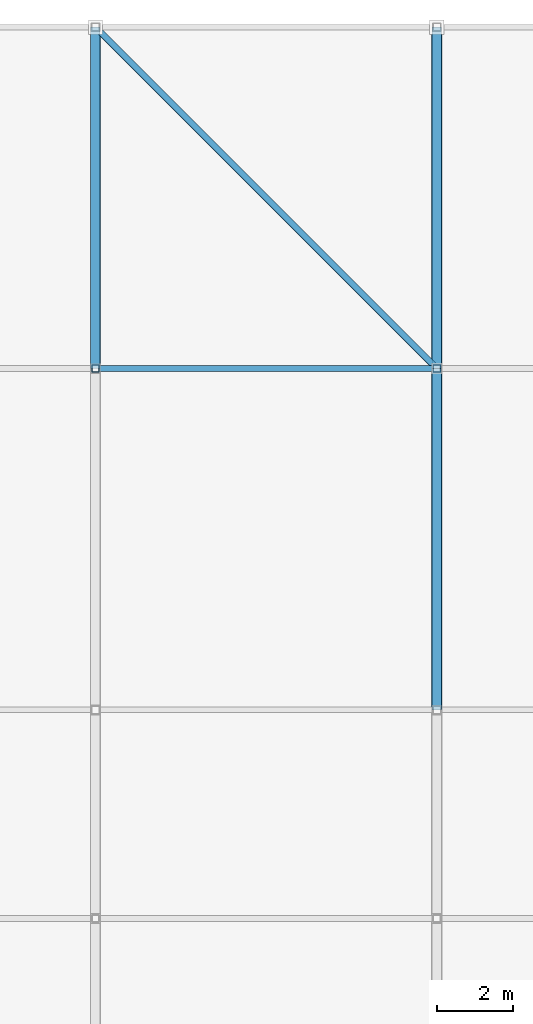
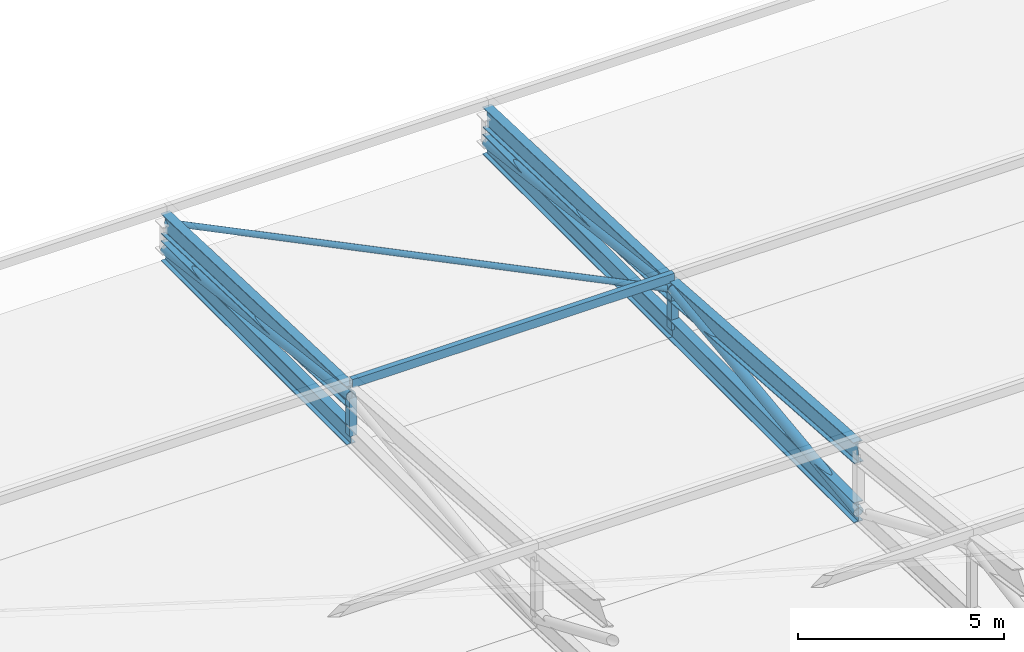
# One storey, part 71 of 114: 7 members, 6 beams.
"""IFC4 building model written with IfcOpenShell, lengths in metres."""

from ifc_helpers import new_model, si_unit, direction, frame, origin, origin_2d, place, context, subcontext, project, spatial, hollow_rectangle, hollow_circle, i_section, extrude, material, material_profile, profile_set, type_object, element, save


model = new_model("IFC4")

# Units and contexts
model_context = context("Model", 3, precision=1e-05, world=origin(), true_north=direction((0.0, 1.0)))
body_context = subcontext(model_context, "Body", "Model", "MODEL_VIEW")
ifc_project = project(units=[si_unit("LENGTHUNIT", "METRE"), si_unit("AREAUNIT", "SQUARE_METRE"), si_unit("VOLUMEUNIT", "CUBIC_METRE"), si_unit("PLANEANGLEUNIT", "RADIAN"), si_unit("MASSUNIT", "GRAM", prefix="KILO"), si_unit("THERMODYNAMICTEMPERATUREUNIT", "KELVIN"), si_unit("POWERUNIT", "WATT")], contexts=[model_context])

# Site, building, storey
site_placement = place(None, origin())
site = spatial("IfcSite", under=ifc_project, at=site_placement, CompositionType="ELEMENT")
building_placement = place(site_placement, origin())
building = spatial("IfcBuilding", under=site, at=building_placement, Name="Sindhuravela Promenade Stadium", CompositionType="ELEMENT")
storey_placement = place(building_placement, frame((0.0, 0.0, 24.0)))
storey = spatial("IfcBuildingStorey", under=building, at=storey_placement, Name="L05", CompositionType="ELEMENT", Elevation=24.0)

# Beams
ifc_material = material(Name="Steel E350 (IS 2062 E350BR)", Category="steel")
ifc_material_profile_1 = material_profile(ifc_material, i_section(OverallWidth=0.25, OverallDepth=0.60009765625, WebThickness=0.01171875, FlangeThickness=0.023681640625, FilletRadius=0.01708984375, at=origin_2d()), Name="ISWB 600")
ifc_profile_set_1 = profile_set([ifc_material_profile_1], Name="Steel E350 (IS 2062 E350BR)")
beam_type = type_object("IfcBeamType", Name="ST-BM-WB600", PredefinedType="USERDEFINED", material=ifc_profile_set_1)
beam_1_placement = place(storey_placement, frame((99.0, 153.0, 0.800048828125), z_axis=(0.0, -0.9993399990381225, 0.03632583546850814), x_axis=(1.0, 0.0, 0.0)))
element("IfcBeam", 1, at=beam_1_placement, inside=storey, type_object=beam_type, Name="Roof truss RT-N04 top chord 1", ObjectType="ROOF TRUSS", PredefinedType="USERDEFINED", context=body_context, shape_type="SweptSolid", body=[
    extrude(i_section(OverallWidth=0.25, OverallDepth=0.60009765625, WebThickness=0.01171875, FlangeThickness=0.023681640625, FilletRadius=0.01708984375, at=origin_2d()), origin(), (0.0, 0.0, 1.0), 9.005859375),
])
beam_2_placement = place(storey_placement, frame((99.0, 153.0, 0.0), z_axis=(0.0, -1.0, 0.0), x_axis=(1.0, 0.0, 0.0)))
element("IfcBeam", 2, at=beam_2_placement, inside=storey, type_object=beam_type, Name="Roof truss RT-N04 bottom chord 1", ObjectType="ROOF TRUSS", PredefinedType="USERDEFINED", context=body_context, shape_type="SweptSolid", body=[
    extrude(i_section(OverallWidth=0.25, OverallDepth=0.60009765625, WebThickness=0.01171875, FlangeThickness=0.023681640625, FilletRadius=0.01708984375, at=origin_2d()), origin(), (0.0, 0.0, 1.0), 9.0),
])
beam_3_placement = place(storey_placement, frame((108.0, 153.0, 0.800048828125), z_axis=(0.0, -0.9993399990381225, 0.03632583546850814), x_axis=(1.0, 0.0, 0.0)))
element("IfcBeam", 3, at=beam_3_placement, inside=storey, type_object=beam_type, Name="Roof truss RT-N05 top chord 1", ObjectType="ROOF TRUSS", PredefinedType="USERDEFINED", context=body_context, shape_type="SweptSolid", body=[
    extrude(i_section(OverallWidth=0.25, OverallDepth=0.60009765625, WebThickness=0.01171875, FlangeThickness=0.023681640625, FilletRadius=0.01708984375, at=origin_2d()), origin(), (0.0, 0.0, 1.0), 9.005859375),
])
beam_4_placement = place(storey_placement, frame((108.0, 153.0, 0.0), z_axis=(0.0, -1.0, 0.0), x_axis=(1.0, 0.0, 0.0)))
element("IfcBeam", 4, at=beam_4_placement, inside=storey, type_object=beam_type, Name="Roof truss RT-N05 bottom chord 1", ObjectType="ROOF TRUSS", PredefinedType="USERDEFINED", context=body_context, shape_type="SweptSolid", body=[
    extrude(i_section(OverallWidth=0.25, OverallDepth=0.60009765625, WebThickness=0.01171875, FlangeThickness=0.023681640625, FilletRadius=0.01708984375, at=origin_2d()), origin(), (0.0, 0.0, 1.0), 9.0),
])
beam_5_placement = place(storey_placement, frame((108.0, 144.0, 1.127197265625), z_axis=(0.0, -0.9975125305940163, 0.07048937017679613), x_axis=(1.0, 0.0, 0.0)))
element("IfcBeam", 5, at=beam_5_placement, inside=storey, type_object=beam_type, Name="Roof truss RT-N05 top chord 2", ObjectType="ROOF TRUSS", PredefinedType="USERDEFINED", context=body_context, shape_type="SweptSolid", body=[
    extrude(i_section(OverallWidth=0.25, OverallDepth=0.60009765625, WebThickness=0.01171875, FlangeThickness=0.023681640625, FilletRadius=0.01708984375, at=origin_2d()), origin(), (0.0, 0.0, 1.0), 9.0224609375),
])
beam_6_placement = place(storey_placement, frame((108.0, 144.0, 0.0), z_axis=(0.0, -1.0, 0.0), x_axis=(1.0, 0.0, 0.0)))
element("IfcBeam", 6, at=beam_6_placement, inside=storey, type_object=beam_type, Name="Roof truss RT-N05 bottom chord 2", ObjectType="ROOF TRUSS", PredefinedType="USERDEFINED", context=body_context, shape_type="SweptSolid", body=[
    extrude(i_section(OverallWidth=0.25, OverallDepth=0.60009765625, WebThickness=0.01171875, FlangeThickness=0.023681640625, FilletRadius=0.01708984375, at=origin_2d()), origin(), (0.0, 0.0, 1.0), 9.0),
])

# Members
ifc_material_profile_2 = material_profile(ifc_material, hollow_circle(Radius=0.084228515625, WallThickness=0.008056640625, at=origin_2d()), Name="CHS 168.3x8")
ifc_profile_set_2 = profile_set([ifc_material_profile_2], Name="Steel E350 (IS 2062 E350BR)")
member_type_1 = type_object("IfcMemberType", Name="ST-MB-CHS168", PredefinedType="BRACE", material=ifc_profile_set_2)
member_1_placement = place(storey_placement, frame((99.0, 153.0, 0.800048828125), z_axis=(0.7068733200643292, -0.7068733200643292, 0.025694722463275855), x_axis=(0.7071067811865475, 0.7071067811865475, 0.0)))
element("IfcMember", 7, at=member_1_placement, inside=storey, type_object=member_type_1, Name="Roof wind brace MB03 N bay 4", PredefinedType="BRACE", context=body_context, shape_type="SweptSolid", body=[
    extrude(hollow_circle(Radius=0.084228515625, WallThickness=0.008056640625, at=origin_2d()), origin(), (0.0, 0.0, 1.0), 12.732177734375),
])
ifc_material_profile_3 = material_profile(ifc_material, hollow_circle(Radius=0.136474609375, WallThickness=0.010009765625, at=origin_2d()), Name="CHS 273.0x10")
ifc_profile_set_3 = profile_set([ifc_material_profile_3], Name="Steel E350 (IS 2062 E350BR)")
member_type_2 = type_object("IfcMemberType", Name="ST-MB-CHS273", PredefinedType="BRACE", material=ifc_profile_set_3)
for number, where, z_axis, x_axis, name in (
    (8, (99.0, 153.0, 0.0), (0.0, -0.9922480329009012, 0.12427325216752011), (1.0, 0.0, 0.0), "Roof truss RT-N04 diagonal web 1"),
    (9, (108.0, 153.0, 0.0), (0.0, -0.9922480329009012, 0.12427325216752011), (1.0, 0.0, 0.0), "Roof truss RT-N05 diagonal web 1"),
    (10, (108.0, 144.0, 1.127197265625), (0.0, -0.9922480329009012, -0.12427325216752011), (1.0, 0.0, 0.0), "Roof truss RT-N05 diagonal web 2"),
):
    element("IfcMember", number, at=place(storey_placement, frame(where, z_axis=z_axis, x_axis=x_axis)), inside=storey, type_object=member_type_2, Name=name, PredefinedType="BRACE", context=body_context, shape_type="SweptSolid", body=[
        extrude(hollow_circle(Radius=0.136474609375, WallThickness=0.010009765625, at=origin_2d()), origin(), (0.0, 0.0, 1.0), 9.0703125),
    ])
ifc_material_profile_4 = material_profile(ifc_material, hollow_rectangle(XDim=0.14990234375, YDim=0.25, WallThickness=0.010009765625, at=origin_2d()), Name="RHS 250x150x10")
ifc_profile_set_4 = profile_set([ifc_material_profile_4], Name="Steel E350 (IS 2062 E350BR)")
member_type_3 = type_object("IfcMemberType", Name="ST-MB-RHS250", PredefinedType="PURLIN", material=ifc_profile_set_4)
member_2_placement = place(storey_placement, frame((99.0, 144.0, 1.51904296875), z_axis=(1.0, 0.0, 0.0), x_axis=(0.0, 1.0, 0.0)))
element("IfcMember", 11, at=member_2_placement, inside=storey, type_object=member_type_3, Name="Roof purlin PR01 N bay 4.2", PredefinedType="PURLIN", context=body_context, shape_type="SweptSolid", body=[
    extrude(hollow_rectangle(XDim=0.14990234375, YDim=0.25, WallThickness=0.010009765625, at=origin_2d()), origin(), (0.0, 0.0, 1.0), 9.0),
])
ifc_material_profile_5 = material_profile(ifc_material, hollow_rectangle(XDim=0.199951171875, YDim=0.199951171875, WallThickness=0.010009765625, at=origin_2d()), Name="SHS 200x200x10")
ifc_profile_set_5 = profile_set([ifc_material_profile_5], Name="Steel E350 (IS 2062 E350BR)")
member_type_4 = type_object("IfcMemberType", Name="ST-MB-SHS200", PredefinedType="POST", material=ifc_profile_set_5)
for number, where, z_axis, x_axis, name in (
    (12, (99.0, 144.0, 0.0), (0.0, 0.0, 1.0), (1.0, 0.0, 0.0), "Roof truss RT-N04 vertical post 2"),
    (13, (108.0, 144.0, 0.0), (0.0, 0.0, 1.0), (1.0, 0.0, 0.0), "Roof truss RT-N05 vertical post 2"),
):
    element("IfcMember", number, at=place(storey_placement, frame(where, z_axis=z_axis, x_axis=x_axis)), inside=storey, type_object=member_type_4, Name=name, PredefinedType="POST", context=body_context, shape_type="SweptSolid", body=[
        extrude(hollow_rectangle(XDim=0.199951171875, YDim=0.199951171875, WallThickness=0.010009765625, at=origin_2d()), origin(), (0.0, 0.0, 1.0), 1.127197265625),
    ])

save(model, "model.ifc")
